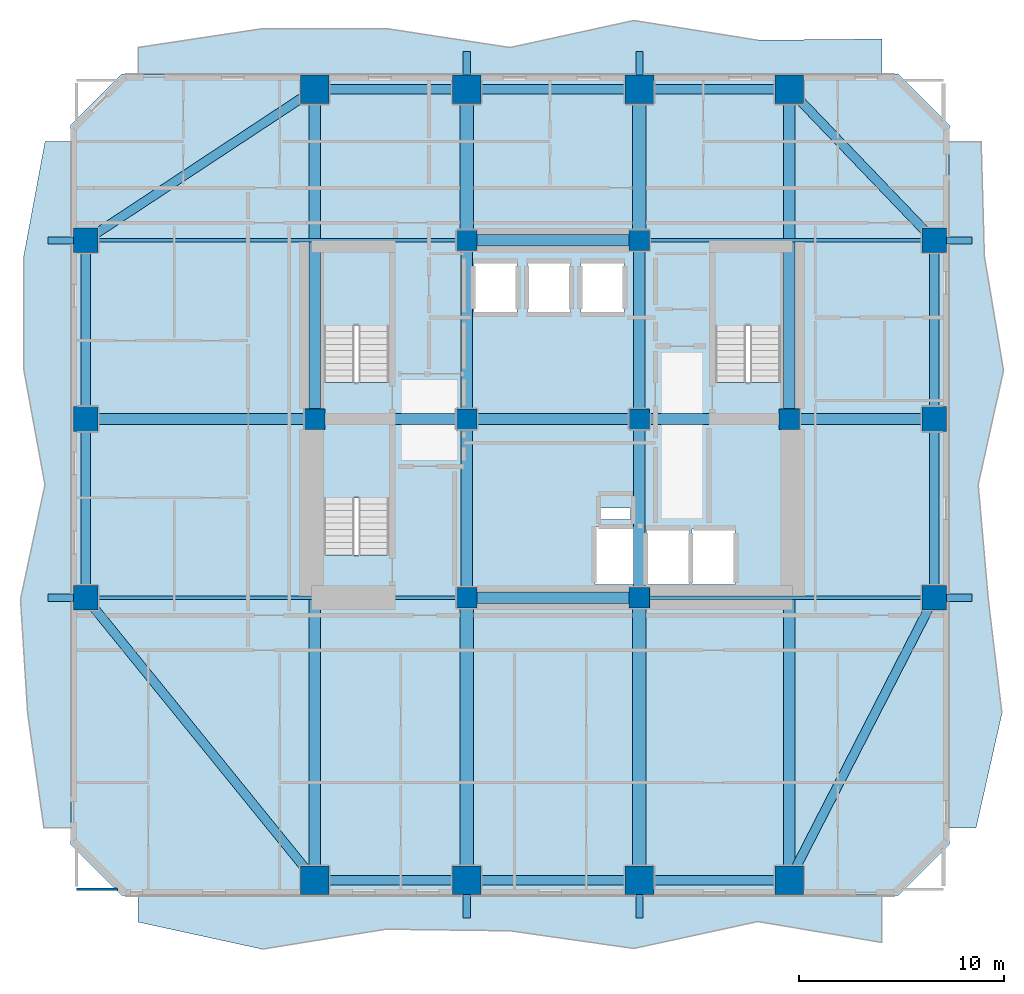
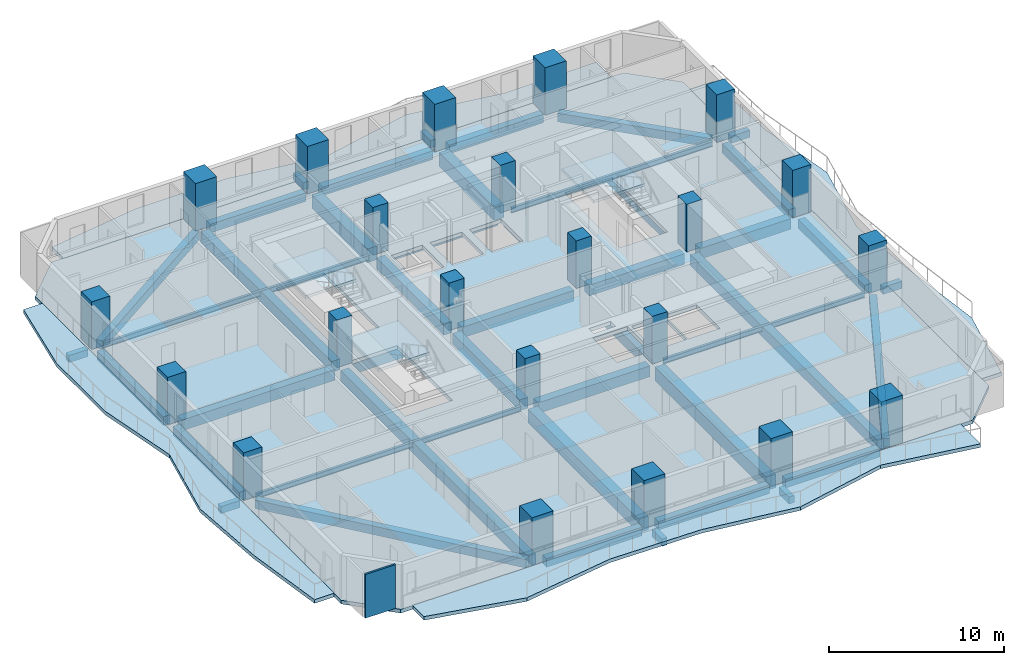
# One storey, part 1 of 11: 45 beams, 22 columns, 8 slabs, 1 wall, 3 elements without a shape of their own.
"""IFC4 building model written with IfcOpenShell, lengths in metres."""

from ifc_helpers import new_model, si_unit, direction, frame, frame_2d, origin, origin_2d, place, context, subcontext, project, spatial, polyline, rectangle, i_section, outline, extrude, material, layer, layer_set, material_profile, profile_set, type_object, element, aggregate, save


model = new_model("IFC4")

# Units and contexts
model_context = context("Model", 3, precision=1e-05, world=origin(), true_north=direction((0.0, 1.0)))
body_context = subcontext(model_context, "Body", "Model", "MODEL_VIEW")
ifc_project = project(units=[si_unit("LENGTHUNIT", "METRE"), si_unit("AREAUNIT", "SQUARE_METRE"), si_unit("VOLUMEUNIT", "CUBIC_METRE"), si_unit("PLANEANGLEUNIT", "RADIAN"), si_unit("MASSUNIT", "GRAM", prefix="KILO")], contexts=[model_context])

# Site, building, storey
site_placement = place(None, origin())
site = spatial("IfcSite", under=ifc_project, at=site_placement, CompositionType="ELEMENT")
building_placement = place(site_placement, origin())
building = spatial("IfcBuilding", under=site, at=building_placement, Name="Solanera Arch Residences", CompositionType="ELEMENT")
storey_placement = place(building_placement, frame((0.0, 0.0, 35.280029296875)))
storey = spatial("IfcBuildingStorey", under=building, at=storey_placement, Name="L09", CompositionType="ELEMENT", Elevation=35.280029296875)

# Columns
ifc_material_1 = material(Name="Concrete C55/67 (f'c = 60 MPa)", Category="concrete")
ifc_material_profile_1 = material_profile(ifc_material_1, rectangle(XDim=1.0, YDim=1.0, at=origin_2d()))
ifc_profile_set_1 = profile_set([ifc_material_profile_1], Name="Concrete C55/67 (f'c = 60 MPa)")
column_type_1 = type_object("IfcColumnType", Name="Structural Column RC-COL-1000X1000", PredefinedType="COLUMN", material=ifc_profile_set_1)
for number, where, z_axis, x_axis, name in (
    (1, (20.800048828125, 22.0, 0.0), (0.0, 0.0, 1.0), (1.0, 0.0, 0.0), "COL-L09-CB-SW"),
    (2, (29.199951171875, 22.0, 0.0), (0.0, 0.0, 1.0), (1.0, 0.0, 0.0), "COL-L09-CB-SE"),
    (3, (20.800048828125, 39.39990234375, 0.0), (0.0, 0.0, 1.0), (1.0, 0.0, 0.0), "COL-L09-CB-NW"),
    (4, (29.199951171875, 39.39990234375, 0.0), (0.0, 0.0, 1.0), (1.0, 0.0, 0.0), "COL-L09-CB-NE"),
    (5, (13.39990234375, 30.699951171875, 0.0), (0.0, 0.0, 1.0), (1.0, 0.0, 0.0), "COL-L09-CB-WW"),
    (6, (36.5, 30.699951171875, 0.0), (0.0, 0.0, 1.0), (1.0, 0.0, 0.0), "COL-L09-CB-EE"),
    (7, (20.800048828125, 30.699951171875, 0.0), (0.0, 0.0, 1.0), (1.0, 0.0, 0.0), "COL-L09-CORE-W"),
    (8, (29.199951171875, 30.699951171875, 0.0), (0.0, 0.0, 1.0), (1.0, 0.0, 0.0), "COL-L09-CORE-E"),
):
    element("IfcColumn", number, at=place(storey_placement, frame(where, z_axis=z_axis, x_axis=x_axis)), inside=storey, type_object=column_type_1, Name=name, PredefinedType="COLUMN", context=body_context, shape_type="SweptSolid", body=[
        extrude(rectangle(XDim=1.0, YDim=1.0, at=origin_2d()), origin(), (0.0, 0.0, 1.0), 3.320068359375),
    ])
ifc_material_2 = material(Name="Concrete C55/67 (f'c = 60 MPa)", Category="concrete")
ifc_material_profile_2 = material_profile(ifc_material_2, rectangle(XDim=1.199951171875, YDim=1.199951171875, at=origin_2d()))
ifc_profile_set_2 = profile_set([ifc_material_profile_2], Name="Concrete C55/67 (f'c = 60 MPa)")
column_type_2 = type_object("IfcColumnType", Name="Structural Column RC-COL-1200X1200", PredefinedType="COLUMN", material=ifc_profile_set_2)
for number, where, z_axis, x_axis, name in (
    (9, (2.25, 22.0, 0.0), (0.0, 0.0, 1.0), (1.0, 0.0, 0.0), "COL-L09-TWR-09"),
    (10, (43.550048828125, 22.0, 0.0), (0.0, 0.0, 1.0), (1.0, 0.0, 0.0), "COL-L09-TWR-10"),
    (11, (2.25, 30.699951171875, 0.0), (0.0, 0.0, 1.0), (1.0, 0.0, 0.0), "COL-L09-TWR-11"),
    (12, (43.550048828125, 30.699951171875, 0.0), (0.0, 0.0, 1.0), (1.0, 0.0, 0.0), "COL-L09-TWR-12"),
    (13, (2.25, 39.39990234375, 0.0), (0.0, 0.0, 1.0), (1.0, 0.0, 0.0), "COL-L09-TWR-13"),
    (14, (43.550048828125, 39.39990234375, 0.0), (0.0, 0.0, 1.0), (1.0, 0.0, 0.0), "COL-L09-TWR-14"),
):
    element("IfcColumn", number, at=place(storey_placement, frame(where, z_axis=z_axis, x_axis=x_axis)), inside=storey, type_object=column_type_2, Name=name, PredefinedType="COLUMN", context=body_context, shape_type="SweptSolid", body=[
        extrude(rectangle(XDim=1.199951171875, YDim=1.199951171875, at=origin_2d()), origin(), (0.0, 0.0, 1.0), 3.320068359375),
    ])
ifc_material_3 = material(Name="Concrete C55/67 (f'c = 60 MPa)", Category="concrete")
ifc_material_profile_3 = material_profile(ifc_material_3, rectangle(XDim=1.39990234375, YDim=1.39990234375, at=origin_2d()))
ifc_profile_set_3 = profile_set([ifc_material_profile_3], Name="Concrete C55/67 (f'c = 60 MPa)")
column_type_3 = type_object("IfcColumnType", Name="Structural Column RC-COL-1400X1400", PredefinedType="COLUMN", material=ifc_profile_set_3)
for number, where, z_axis, x_axis, name in (
    (15, (13.39990234375, 8.25, 0.0), (0.0, 0.0, 1.0), (1.0, 0.0, 0.0), "COL-L09-TWR-01"),
    (16, (13.39990234375, 46.75, 0.0), (0.0, 0.0, 1.0), (1.0, 0.0, 0.0), "COL-L09-TWR-02"),
    (17, (20.800048828125, 8.25, 0.0), (0.0, 0.0, 1.0), (1.0, 0.0, 0.0), "COL-L09-TWR-03"),
    (18, (20.800048828125, 46.75, 0.0), (0.0, 0.0, 1.0), (1.0, 0.0, 0.0), "COL-L09-TWR-04"),
    (19, (29.199951171875, 8.25, 0.0), (0.0, 0.0, 1.0), (1.0, 0.0, 0.0), "COL-L09-TWR-05"),
    (20, (29.199951171875, 46.75, 0.0), (0.0, 0.0, 1.0), (1.0, 0.0, 0.0), "COL-L09-TWR-06"),
    (21, (36.5, 8.25, 0.0), (0.0, 0.0, 1.0), (1.0, 0.0, 0.0), "COL-L09-TWR-07"),
    (22, (36.5, 46.75, 0.0), (0.0, 0.0, 1.0), (1.0, 0.0, 0.0), "COL-L09-TWR-08"),
):
    element("IfcColumn", number, at=place(storey_placement, frame(where, z_axis=z_axis, x_axis=x_axis)), inside=storey, type_object=column_type_3, Name=name, PredefinedType="COLUMN", context=body_context, shape_type="SweptSolid", body=[
        extrude(rectangle(XDim=1.39990234375, YDim=1.39990234375, at=origin_2d()), origin(), (0.0, 0.0, 1.0), 3.320068359375),
    ])

# Beams
ifc_material_4 = material(Name="Concrete C40/50 (f'c = 45 MPa)", Category="concrete")
ifc_material_profile_4 = material_profile(ifc_material_4, rectangle(XDim=0.35009765625, YDim=0.5, at=origin_2d()))
ifc_profile_set_4 = profile_set([ifc_material_profile_4], Name="Concrete C40/50 (f'c = 45 MPa)")
beam_type_1 = type_object("IfcBeamType", Name="BM-BALC-RIB", PredefinedType="BEAM", material=ifc_profile_set_4)
for number, where, z_axis, x_axis, name in (
    (23, (20.800048828125, 6.39990234375, -0.5), (0.0, 1.0, 0.0), (-1.0, 0.0, 0.0), "BM-L09-BRIB-S1"),
    (24, (29.199951171875, 6.39990234375, -0.5), (0.0, 1.0, 0.0), (-1.0, 0.0, 0.0), "BM-L09-BRIB-S2"),
    (25, (20.800048828125, 47.449951171875, -0.5), (0.0, 1.0, 0.0), (-1.0, 0.0, 0.0), "BM-L09-BRIB-N1"),
    (26, (29.199951171875, 47.449951171875, -0.5), (0.0, 1.0, 0.0), (-1.0, 0.0, 0.0), "BM-L09-BRIB-N2"),
):
    element("IfcBeam", number, at=place(storey_placement, frame(where, z_axis=z_axis, x_axis=x_axis)), inside=storey, type_object=beam_type_1, Name=name, PredefinedType="BEAM", context=body_context, shape_type="SweptSolid", body=[
        extrude(rectangle(XDim=0.35009765625, YDim=0.5, at=origin_2d()), origin(), (0.0, 0.0, 1.0), 1.150146484375),
    ])
for number, where, z_axis, x_axis, name in (
    (27, (44.14990234375, 22.0, -0.5), (1.0, 0.0, 0.0), (0.0, 1.0, 0.0), "BM-L09-BRIB-E1"),
    (28, (44.14990234375, 39.39990234375, -0.5), (1.0, 0.0, 0.0), (0.0, 1.0, 0.0), "BM-L09-BRIB-E2"),
    (29, (0.39990234375, 22.0, -0.5), (1.0, 0.0, 0.0), (0.0, 1.0, 0.0), "BM-L09-BRIB-W1"),
    (30, (0.39990234375, 39.39990234375, -0.5), (1.0, 0.0, 0.0), (0.0, 1.0, 0.0), "BM-L09-BRIB-W2"),
):
    element("IfcBeam", number, at=place(storey_placement, frame(where, z_axis=z_axis, x_axis=x_axis)), inside=storey, type_object=beam_type_1, Name=name, PredefinedType="BEAM", context=body_context, shape_type="SweptSolid", body=[
        extrude(rectangle(XDim=0.35009765625, YDim=0.5, at=origin_2d()), origin(), (0.0, 0.0, 1.0), 1.25),
    ])
ifc_material_5 = material(Name="Concrete C40/50 (f'c = 45 MPa)", Category="concrete")
ifc_material_profile_5 = material_profile(ifc_material_5, rectangle(XDim=0.550048828125, YDim=0.75, at=origin_2d()))
ifc_profile_set_5 = profile_set([ifc_material_profile_5], Name="Concrete C40/50 (f'c = 45 MPa)")
beam_type_2 = type_object("IfcBeamType", Name="Primary Beam RC-BM-550X750", PredefinedType="BEAM", material=ifc_profile_set_5)
beam_1_placement = place(storey_placement, frame((20.800048828125, 22.50390625, -0.635009765625), z_axis=(0.0, 1.0, 0.0), x_axis=(-1.0, 0.0, 0.0)))
element("IfcBeam", 31, at=beam_1_placement, inside=storey, type_object=beam_type_2, Name="BM-L09-CC-S-208", PredefinedType="BEAM", context=body_context, shape_type="SweptSolid", body=[
    extrude(rectangle(XDim=0.550048828125, YDim=0.75, at=origin_2d()), origin(), (0.0, 0.0, 1.0), 7.692138671875),
])
beam_2_placement = place(storey_placement, frame((20.800048828125, 31.2041015625, -0.635009765625), z_axis=(0.0, 1.0, 0.0), x_axis=(-1.0, 0.0, 0.0)))
element("IfcBeam", 32, at=beam_2_placement, inside=storey, type_object=beam_type_2, Name="BM-L09-CC-N-208", PredefinedType="BEAM", context=body_context, shape_type="SweptSolid", body=[
    extrude(rectangle(XDim=0.550048828125, YDim=0.75, at=origin_2d()), origin(), (0.0, 0.0, 1.0), 7.69189453125),
])
beam_3_placement = place(storey_placement, frame((29.199951171875, 22.50390625, -0.635009765625), z_axis=(0.0, 1.0, 0.0), x_axis=(-1.0, 0.0, 0.0)))
element("IfcBeam", 33, at=beam_3_placement, inside=storey, type_object=beam_type_2, Name="BM-L09-CC-S-292", PredefinedType="BEAM", context=body_context, shape_type="SweptSolid", body=[
    extrude(rectangle(XDim=0.550048828125, YDim=0.75, at=origin_2d()), origin(), (0.0, 0.0, 1.0), 7.692138671875),
])
beam_4_placement = place(storey_placement, frame((29.199951171875, 31.2041015625, -0.635009765625), z_axis=(0.0, 1.0, 0.0), x_axis=(-1.0, 0.0, 0.0)))
element("IfcBeam", 34, at=beam_4_placement, inside=storey, type_object=beam_type_2, Name="BM-L09-CC-N-292", PredefinedType="BEAM", context=body_context, shape_type="SweptSolid", body=[
    extrude(rectangle(XDim=0.550048828125, YDim=0.75, at=origin_2d()), origin(), (0.0, 0.0, 1.0), 7.69189453125),
])
for number, where, z_axis, x_axis, name in (
    (35, (21.303955078125, 22.0, -0.635009765625), (1.0, 0.0, 0.0), (0.0, 1.0, 0.0), "BM-L09-CC-M-220"),
    (36, (21.303955078125, 30.699951171875, -0.635009765625), (1.0, 0.0, 0.0), (0.0, 1.0, 0.0), "BM-L09-CC-M-307"),
    (37, (21.303955078125, 39.39990234375, -0.635009765625), (1.0, 0.0, 0.0), (0.0, 1.0, 0.0), "BM-L09-CC-M-394"),
):
    element("IfcBeam", number, at=place(storey_placement, frame(where, z_axis=z_axis, x_axis=x_axis)), inside=storey, type_object=beam_type_2, Name=name, PredefinedType="BEAM", context=body_context, shape_type="SweptSolid", body=[
        extrude(rectangle(XDim=0.550048828125, YDim=0.75, at=origin_2d()), origin(), (0.0, 0.0, 1.0), 7.39208984375),
    ])
beam_5_placement = place(storey_placement, frame((13.904052734375, 30.699951171875, -0.635009765625), z_axis=(1.0, 0.0, 0.0), x_axis=(0.0, 1.0, 0.0)))
element("IfcBeam", 38, at=beam_5_placement, inside=storey, type_object=beam_type_2, Name="BM-L09-CC-W", PredefinedType="BEAM", context=body_context, shape_type="SweptSolid", body=[
    extrude(rectangle(XDim=0.550048828125, YDim=0.75, at=origin_2d()), origin(), (0.0, 0.0, 1.0), 6.391845703125),
])
beam_6_placement = place(storey_placement, frame((29.7041015625, 30.699951171875, -0.635009765625), z_axis=(1.0, 0.0, 0.0), x_axis=(0.0, 1.0, 0.0)))
element("IfcBeam", 39, at=beam_6_placement, inside=storey, type_object=beam_type_2, Name="BM-L09-CC-E", PredefinedType="BEAM", context=body_context, shape_type="SweptSolid", body=[
    extrude(rectangle(XDim=0.550048828125, YDim=0.75, at=origin_2d()), origin(), (0.0, 0.0, 1.0), 6.2919921875),
])
beam_7_placement = place(storey_placement, frame((13.39990234375, 8.7900390625, -0.635009765625), z_axis=(0.0, 1.0, 0.0), x_axis=(-1.0, 0.0, 0.0)))
element("IfcBeam", 40, at=beam_7_placement, inside=storey, type_object=beam_type_2, Name="BM-L09-RAD-OS-134", PredefinedType="BEAM", context=body_context, shape_type="SweptSolid", body=[
    extrude(rectangle(XDim=0.550048828125, YDim=0.75, at=origin_2d()), origin(), (0.0, 0.0, 1.0), 21.406005859375),
])
beam_8_placement = place(storey_placement, frame((13.39990234375, 31.2041015625, -0.635009765625), z_axis=(0.0, 1.0, 0.0), x_axis=(-1.0, 0.0, 0.0)))
element("IfcBeam", 41, at=beam_8_placement, inside=storey, type_object=beam_type_2, Name="BM-L09-RAD-ON-134", PredefinedType="BEAM", context=body_context, shape_type="SweptSolid", body=[
    extrude(rectangle(XDim=0.550048828125, YDim=0.75, at=origin_2d()), origin(), (0.0, 0.0, 1.0), 15.005859375),
])
beam_9_placement = place(storey_placement, frame((36.5, 8.7900390625, -0.635009765625), z_axis=(0.0, 1.0, 0.0), x_axis=(-1.0, 0.0, 0.0)))
element("IfcBeam", 42, at=beam_9_placement, inside=storey, type_object=beam_type_2, Name="BM-L09-RAD-OS-365", PredefinedType="BEAM", context=body_context, shape_type="SweptSolid", body=[
    extrude(rectangle(XDim=0.550048828125, YDim=0.75, at=origin_2d()), origin(), (0.0, 0.0, 1.0), 21.406005859375),
])
beam_10_placement = place(storey_placement, frame((36.5, 31.2041015625, -0.635009765625), z_axis=(0.0, 1.0, 0.0), x_axis=(-1.0, 0.0, 0.0)))
element("IfcBeam", 43, at=beam_10_placement, inside=storey, type_object=beam_type_2, Name="BM-L09-RAD-ON-365", PredefinedType="BEAM", context=body_context, shape_type="SweptSolid", body=[
    extrude(rectangle(XDim=0.550048828125, YDim=0.75, at=origin_2d()), origin(), (0.0, 0.0, 1.0), 15.005859375),
])
beam_11_placement = place(storey_placement, frame((2.7900390625, 30.699951171875, -0.635009765625), z_axis=(1.0, 0.0, 0.0), x_axis=(0.0, 1.0, 0.0)))
element("IfcBeam", 44, at=beam_11_placement, inside=storey, type_object=beam_type_2, Name="BM-L09-RAD-MW", PredefinedType="BEAM", context=body_context, shape_type="SweptSolid", body=[
    extrude(rectangle(XDim=0.550048828125, YDim=0.75, at=origin_2d()), origin(), (0.0, 0.0, 1.0), 10.10595703125),
])
beam_12_placement = place(storey_placement, frame((37.00390625, 30.699951171875, -0.635009765625), z_axis=(1.0, 0.0, 0.0), x_axis=(0.0, 1.0, 0.0)))
element("IfcBeam", 45, at=beam_12_placement, inside=storey, type_object=beam_type_2, Name="BM-L09-RAD-ME", PredefinedType="BEAM", context=body_context, shape_type="SweptSolid", body=[
    extrude(rectangle(XDim=0.550048828125, YDim=0.75, at=origin_2d()), origin(), (0.0, 0.0, 1.0), 6.006103515625),
])
ifc_material_6 = material(Name="Concrete C40/50 (f'c = 45 MPa)", Category="concrete")
ifc_material_profile_6 = material_profile(ifc_material_6, rectangle(XDim=0.64990234375, YDim=0.949951171875, at=origin_2d()))
ifc_profile_set_6 = profile_set([ifc_material_profile_6], Name="Concrete C40/50 (f'c = 45 MPa)")
beam_type_3 = type_object("IfcBeamType", Name="Primary Beam RC-BM-650X950", PredefinedType="BEAM", material=ifc_profile_set_6)
beam_13_placement = place(storey_placement, frame((20.800048828125, 8.7900390625, -0.735107421875), z_axis=(0.0, 1.0, 0.0), x_axis=(-1.0, 0.0, 0.0)))
element("IfcBeam", 46, at=beam_13_placement, inside=storey, type_object=beam_type_3, Name="BM-L09-RAD-S-208", PredefinedType="BEAM", context=body_context, shape_type="SweptSolid", body=[
    extrude(rectangle(XDim=0.64990234375, YDim=0.949951171875, at=origin_2d()), origin(), (0.0, 0.0, 1.0), 12.7060546875),
])
beam_14_placement = place(storey_placement, frame((20.800048828125, 39.904052734375, -0.735107421875), z_axis=(0.0, 1.0, 0.0), x_axis=(-1.0, 0.0, 0.0)))
element("IfcBeam", 47, at=beam_14_placement, inside=storey, type_object=beam_type_3, Name="BM-L09-RAD-N-208", PredefinedType="BEAM", context=body_context, shape_type="SweptSolid", body=[
    extrude(rectangle(XDim=0.64990234375, YDim=0.949951171875, at=origin_2d()), origin(), (0.0, 0.0, 1.0), 6.305908203125),
])
beam_15_placement = place(storey_placement, frame((29.199951171875, 8.7900390625, -0.735107421875), z_axis=(0.0, 1.0, 0.0), x_axis=(-1.0, 0.0, 0.0)))
element("IfcBeam", 48, at=beam_15_placement, inside=storey, type_object=beam_type_3, Name="BM-L09-RAD-S-292", PredefinedType="BEAM", context=body_context, shape_type="SweptSolid", body=[
    extrude(rectangle(XDim=0.64990234375, YDim=0.949951171875, at=origin_2d()), origin(), (0.0, 0.0, 1.0), 12.7060546875),
])
beam_16_placement = place(storey_placement, frame((29.199951171875, 39.904052734375, -0.735107421875), z_axis=(0.0, 1.0, 0.0), x_axis=(-1.0, 0.0, 0.0)))
element("IfcBeam", 49, at=beam_16_placement, inside=storey, type_object=beam_type_3, Name="BM-L09-RAD-N-292", PredefinedType="BEAM", context=body_context, shape_type="SweptSolid", body=[
    extrude(rectangle(XDim=0.64990234375, YDim=0.949951171875, at=origin_2d()), origin(), (0.0, 0.0, 1.0), 6.305908203125),
])
ifc_material_7 = material(Name="Steel S355 (ASTM A992 / A572 Grade 50)", Category="steel")
ifc_material_profile_7 = material_profile(ifc_material_7, i_section(OverallWidth=0.172119140625, OverallDepth=0.35791015625, WebThickness=0.0078125, FlangeThickness=0.01318359375, at=origin_2d()))
ifc_profile_set_7 = profile_set([ifc_material_profile_7], Name="Steel S355 (ASTM A992 / A572 Grade 50)")
beam_type_4 = type_object("IfcBeamType", Name="Secondary Joist W360X57.8", PredefinedType="JOIST", material=ifc_profile_set_7)
beam_17_placement = place(storey_placement, frame((2.7900390625, 22.0, -0.43896484375), z_axis=(1.0, 0.0, 0.0), x_axis=(0.0, 1.0, 0.0)))
element("IfcBeam", 50, at=beam_17_placement, inside=storey, type_object=beam_type_4, Name="BM-L09-RAD-W-220", PredefinedType="JOIST", context=body_context, shape_type="SweptSolid", body=[
    extrude(i_section(OverallWidth=0.172119140625, OverallDepth=0.35791015625, WebThickness=0.0078125, FlangeThickness=0.01318359375, at=origin_2d()), origin(), (0.0, 0.0, 1.0), 17.505859375),
])
beam_18_placement = place(storey_placement, frame((29.7041015625, 22.0, -0.43896484375), z_axis=(1.0, 0.0, 0.0), x_axis=(0.0, 1.0, 0.0)))
element("IfcBeam", 51, at=beam_18_placement, inside=storey, type_object=beam_type_4, Name="BM-L09-RAD-E-220", PredefinedType="JOIST", context=body_context, shape_type="SweptSolid", body=[
    extrude(i_section(OverallWidth=0.172119140625, OverallDepth=0.35791015625, WebThickness=0.0078125, FlangeThickness=0.01318359375, at=origin_2d()), origin(), (0.0, 0.0, 1.0), 13.305908203125),
])
beam_19_placement = place(storey_placement, frame((2.7900390625, 39.39990234375, -0.43896484375), z_axis=(1.0, 0.0, 0.0), x_axis=(0.0, 1.0, 0.0)))
element("IfcBeam", 52, at=beam_19_placement, inside=storey, type_object=beam_type_4, Name="BM-L09-RAD-W-394", PredefinedType="JOIST", context=body_context, shape_type="SweptSolid", body=[
    extrude(i_section(OverallWidth=0.172119140625, OverallDepth=0.35791015625, WebThickness=0.0078125, FlangeThickness=0.01318359375, at=origin_2d()), origin(), (0.0, 0.0, 1.0), 17.505859375),
])
beam_20_placement = place(storey_placement, frame((29.7041015625, 39.39990234375, -0.43896484375), z_axis=(1.0, 0.0, 0.0), x_axis=(0.0, 1.0, 0.0)))
element("IfcBeam", 53, at=beam_20_placement, inside=storey, type_object=beam_type_4, Name="BM-L09-RAD-E-394", PredefinedType="JOIST", context=body_context, shape_type="SweptSolid", body=[
    extrude(i_section(OverallWidth=0.172119140625, OverallDepth=0.35791015625, WebThickness=0.0078125, FlangeThickness=0.01318359375, at=origin_2d()), origin(), (0.0, 0.0, 1.0), 13.305908203125),
])
ifc_material_8 = material(Name="Concrete C40/50 (f'c = 45 MPa)", Category="concrete")
ifc_material_profile_8 = material_profile(ifc_material_8, rectangle(XDim=0.449951171875, YDim=0.60009765625, at=origin_2d()))
ifc_profile_set_8 = profile_set([ifc_material_profile_8], Name="Concrete C40/50 (f'c = 45 MPa)")
beam_type_5 = type_object("IfcBeamType", Name="Spandrel Beam RC-BM-450X600", PredefinedType="SPANDREL", material=ifc_profile_set_8)
for number, where, z_axis, x_axis, name in (
    (54, (13.93994140625, 8.25, -0.56005859375), (1.0, 0.0, 0.0), (0.0, 1.0, 0.0), "BM-L09-SPN-S-1"),
    (55, (13.93994140625, 46.75, -0.56005859375), (1.0, 0.0, 0.0), (0.0, 1.0, 0.0), "BM-L09-SPN-N-1"),
):
    element("IfcBeam", number, at=place(storey_placement, frame(where, z_axis=z_axis, x_axis=x_axis)), inside=storey, type_object=beam_type_5, Name=name, PredefinedType="SPANDREL", context=body_context, shape_type="SweptSolid", body=[
        extrude(rectangle(XDim=0.449951171875, YDim=0.60009765625, at=origin_2d()), origin(), (0.0, 0.0, 1.0), 6.320068359375),
    ])
for number, where, z_axis, x_axis, name in (
    (56, (21.340087890625, 8.25, -0.56005859375), (1.0, 0.0, 0.0), (0.0, 1.0, 0.0), "BM-L09-SPN-S-2"),
    (57, (21.340087890625, 46.75, -0.56005859375), (1.0, 0.0, 0.0), (0.0, 1.0, 0.0), "BM-L09-SPN-N-2"),
):
    element("IfcBeam", number, at=place(storey_placement, frame(where, z_axis=z_axis, x_axis=x_axis)), inside=storey, type_object=beam_type_5, Name=name, PredefinedType="SPANDREL", context=body_context, shape_type="SweptSolid", body=[
        extrude(rectangle(XDim=0.449951171875, YDim=0.60009765625, at=origin_2d()), origin(), (0.0, 0.0, 1.0), 7.31982421875),
    ])
for number, where, z_axis, x_axis, name in (
    (58, (29.739990234375, 8.25, -0.56005859375), (1.0, 0.0, 0.0), (0.0, 1.0, 0.0), "BM-L09-SPN-S-3"),
    (59, (29.739990234375, 46.75, -0.56005859375), (1.0, 0.0, 0.0), (0.0, 1.0, 0.0), "BM-L09-SPN-N-3"),
):
    element("IfcBeam", number, at=place(storey_placement, frame(where, z_axis=z_axis, x_axis=x_axis)), inside=storey, type_object=beam_type_5, Name=name, PredefinedType="SPANDREL", context=body_context, shape_type="SweptSolid", body=[
        extrude(rectangle(XDim=0.449951171875, YDim=0.60009765625, at=origin_2d()), origin(), (0.0, 0.0, 1.0), 6.219970703125),
    ])
for number, where, z_axis, x_axis, name in (
    (60, (2.25, 22.5400390625, -0.56005859375), (0.0, 1.0, 0.0), (-1.0, 0.0, 0.0), "BM-L09-SPN-W-1"),
    (61, (43.550048828125, 22.5400390625, -0.56005859375), (0.0, 1.0, 0.0), (-1.0, 0.0, 0.0), "BM-L09-SPN-E-1"),
):
    element("IfcBeam", number, at=place(storey_placement, frame(where, z_axis=z_axis, x_axis=x_axis)), inside=storey, type_object=beam_type_5, Name=name, PredefinedType="SPANDREL", context=body_context, shape_type="SweptSolid", body=[
        extrude(rectangle(XDim=0.449951171875, YDim=0.60009765625, at=origin_2d()), origin(), (0.0, 0.0, 1.0), 7.619873046875),
    ])
for number, where, z_axis, x_axis, name in (
    (62, (2.25, 31.239990234375, -0.56005859375), (0.0, 1.0, 0.0), (-1.0, 0.0, 0.0), "BM-L09-SPN-W-2"),
    (63, (43.550048828125, 31.239990234375, -0.56005859375), (0.0, 1.0, 0.0), (-1.0, 0.0, 0.0), "BM-L09-SPN-E-2"),
):
    element("IfcBeam", number, at=place(storey_placement, frame(where, z_axis=z_axis, x_axis=x_axis)), inside=storey, type_object=beam_type_5, Name=name, PredefinedType="SPANDREL", context=body_context, shape_type="SweptSolid", body=[
        extrude(rectangle(XDim=0.449951171875, YDim=0.60009765625, at=origin_2d()), origin(), (0.0, 0.0, 1.0), 7.6201171875),
    ])
beam_21_placement = place(storey_placement, frame((13.06005859375, 8.6689453125, -0.56005859375), z_axis=(-0.629827104297, 0.776735359497, 0.0), x_axis=(-0.776735359497, -0.629827104297, 0.0)))
element("IfcBeam", 64, at=beam_21_placement, inside=storey, type_object=beam_type_5, Name="BM-L09-SPN-SW", PredefinedType="SPANDREL", context=body_context, shape_type="SweptSolid", body=[
    extrude(rectangle(XDim=0.449951171875, YDim=0.60009765625, at=origin_2d()), origin(), (0.0, 0.0, 1.0), 16.62353515625),
])
beam_22_placement = place(storey_placement, frame((12.948974609375, 46.452880859375, -0.56005859375), z_axis=(-0.834903365048, -0.550396557976, 0.0), x_axis=(0.550396557976, -0.834903365048, 0.0)))
element("IfcBeam", 65, at=beam_22_placement, inside=storey, type_object=beam_type_5, Name="BM-L09-SPN-NW", PredefinedType="SPANDREL", context=body_context, shape_type="SweptSolid", body=[
    extrude(rectangle(XDim=0.449951171875, YDim=0.60009765625, at=origin_2d()), origin(), (0.0, 0.0, 1.0), 12.2744140625),
])
beam_23_placement = place(storey_placement, frame((36.74609375, 8.73095703125, -0.56005859375), z_axis=(0.456309404993, 0.889821176931, 0.0), x_axis=(-0.889821176931, 0.456309404993, 0.0)))
element("IfcBeam", 66, at=beam_23_placement, inside=storey, type_object=beam_type_5, Name="BM-L09-SPN-SE", PredefinedType="SPANDREL", context=body_context, shape_type="SweptSolid", body=[
    extrude(rectangle(XDim=0.449951171875, YDim=0.60009765625, at=origin_2d()), origin(), (0.0, 0.0, 1.0), 14.37158203125),
])
beam_24_placement = place(storey_placement, frame((36.8740234375, 46.360107421875, -0.56005859375), z_axis=(0.692230884532, -0.721676106366, 0.0), x_axis=(0.721676106366, 0.692230884532, 0.0)))
element("IfcBeam", 67, at=beam_24_placement, inside=storey, type_object=beam_type_5, Name="BM-L09-SPN-NE", PredefinedType="SPANDREL", context=body_context, shape_type="SweptSolid", body=[
    extrude(rectangle(XDim=0.449951171875, YDim=0.60009765625, at=origin_2d()), origin(), (0.0, 0.0, 1.0), 9.10400390625),
])

# Slabs
ifc_material_9 = material(Name="Concrete C40/50 (f'c = 45 MPa)", Category="concrete")
ifc_layer_1 = layer(ifc_material_9, 0.25)
ifc_layer_set_1 = layer_set([ifc_layer_1], Name="Concrete C40/50 (f'c = 45 MPa)")
slab_type_1 = type_object("IfcSlabType", Name="Balcony Slab 250", PredefinedType="FLOOR", material=ifc_layer_set_1)
slab_1_placement = place(storey_placement, frame((0.0, 0.0, -0.25)))
element("IfcSlab", 68, at=slab_1_placement, inside=storey, type_object=slab_type_1, Name="L09 S Rippling Brise-Soleil Balcony Slab", PredefinedType="FLOOR", context=body_context, shape_type="SweptSolid", body=[
    extrude(outline(polyline([(4.800048828125, 6.208984375), (10.8330078125, 4.89404296875), (16.866943359375, 5.865966796875), (22.89990234375, 5.7880859375), (28.93310546875, 4.927001953125), (34.967041015625, 6.238037109375), (41.0, 5.220947265625), (41.0, 7.52001953125), (4.800048828125, 7.52001953125), (4.800048828125, 6.208984375)])), origin(), (0.0, 0.0, 1.0), 0.25),
])
slab_2_placement = place(storey_placement, frame((0.0, 0.0, -0.25)))
element("IfcSlab", 69, at=slab_2_placement, inside=storey, type_object=slab_type_1, Name="L09 N Rippling Brise-Soleil Balcony Slab", PredefinedType="FLOOR", context=body_context, shape_type="SweptSolid", body=[
    extrude(outline(polyline([(41.0, 49.202880859375), (34.967041015625, 49.14306640625), (28.93310546875, 50.10302734375), (22.89990234375, 48.7880859375), (16.866943359375, 49.7119140625), (10.8330078125, 49.702880859375), (4.800048828125, 48.791015625), (4.800048828125, 47.47998046875), (41.0, 47.47998046875), (41.0, 49.202880859375)])), origin(), (0.0, 0.0, 1.0), 0.25),
])
slab_3_placement = place(storey_placement, frame((0.0, 0.0, -0.25)))
element("IfcSlab", 70, at=slab_3_placement, inside=storey, type_object=slab_type_1, Name="L09 E Rippling Brise-Soleil Balcony Slab", PredefinedType="FLOOR", context=body_context, shape_type="SweptSolid", body=[
    extrude(outline(polyline([(45.591064453125, 10.800048828125), (46.85009765625, 16.366943359375), (46.18408203125, 21.93310546875), (45.694091796875, 27.5), (46.926025390625, 33.06689453125), (45.993896484375, 38.633056640625), (45.837890625, 44.199951171875), (44.280029296875, 44.199951171875), (44.280029296875, 10.800048828125), (45.591064453125, 10.800048828125)])), origin(), (0.0, 0.0, 1.0), 0.25),
])
slab_4_placement = place(storey_placement, frame((0.0, 0.0, -0.25)))
element("IfcSlab", 71, at=slab_4_placement, inside=storey, type_object=slab_type_1, Name="L09 W Rippling Brise-Soleil Balcony Slab", PredefinedType="FLOOR", context=body_context, shape_type="SweptSolid", body=[
    extrude(outline(polyline([(0.263916015625, 44.199951171875), (-0.77099609375, 38.633056640625), (-0.761962890625, 33.06689453125), (0.262939453125, 27.5), (-0.928955078125, 21.93310546875), (-0.5791015625, 16.366943359375), (0.208984375, 10.800048828125), (1.52001953125, 10.800048828125), (1.52001953125, 44.199951171875), (0.263916015625, 44.199951171875)])), origin(), (0.0, 0.0, 1.0), 0.25),
])

# Stair, slab
ifc_material_10 = material(Name="Concrete C40/50 (f'c = 45 MPa)", Category="concrete")
stair_type = type_object("IfcStairType", Name="Tower Dogleg Exit Stair 1480", PredefinedType="HALF_TURN_STAIR", material=ifc_material_10)
stair_1_placement = place(storey_placement, origin())
stair_1 = element("IfcStair", 72, at=stair_1_placement, inside=storey, type_object=stair_type, Name="L09 Tower Core Exit Stair 1", PredefinedType="HALF_TURN_STAIR")
ifc_material_11 = material(Name="Concrete C40/50 (f'c = 45 MPa)", Category="concrete")
ifc_layer_2 = layer(ifc_material_11, 0.199951171875)
ifc_layer_set_2 = layer_set([ifc_layer_2], Name="Concrete C40/50 (f'c = 45 MPa)")
slab_type_2 = type_object("IfcSlabType", Name="Stair Half-Landing Slab 200", PredefinedType="LANDING", material=ifc_layer_set_2)
slab_5_placement = place(storey_placement, frame((0.0, 0.0, 1.4599609375)))
slab_5 = element("IfcSlab", 73, at=slab_5_placement, type_object=slab_type_2, Name="ST-T1 landing 1", PredefinedType="LANDING", context=body_context, shape_type="SweptSolid", body=[
    extrude(outline(polyline([(17.1201171875, 35.260009765625), (17.1201171875, 38.919921875), (13.719970703125, 38.919921875), (13.719970703125, 35.260009765625), (17.1201171875, 35.260009765625)])), origin(), (0.0, 0.0, 1.0), 0.199951171875),
])
aggregate(stair_1, [slab_5])

stair_2_placement = place(storey_placement, origin())
stair_2 = element("IfcStair", 74, at=stair_2_placement, inside=storey, type_object=stair_type, Name="L09 Tower Core Exit Stair 2", PredefinedType="HALF_TURN_STAIR")
slab_6_placement = place(storey_placement, frame((0.0, 0.0, 1.4599609375)))
slab_6 = element("IfcSlab", 75, at=slab_6_placement, type_object=slab_type_2, Name="ST-T2 landing 1", PredefinedType="LANDING", context=body_context, shape_type="SweptSolid", body=[
    extrude(outline(polyline([(36.179931640625, 35.260009765625), (36.179931640625, 38.919921875), (32.780029296875, 38.919921875), (32.780029296875, 35.260009765625), (36.179931640625, 35.260009765625)])), origin(), (0.0, 0.0, 1.0), 0.199951171875),
])
aggregate(stair_2, [slab_6])

stair_3_placement = place(storey_placement, origin())
stair_3 = element("IfcStair", 76, at=stair_3_placement, inside=storey, type_object=stair_type, Name="L09 Tower Core Exit Stair 3", PredefinedType="HALF_TURN_STAIR")
slab_7_placement = place(storey_placement, frame((0.0, 0.0, 1.4599609375)))
slab_7 = element("IfcSlab", 77, at=slab_7_placement, type_object=slab_type_2, Name="ST-T3 landing 1", PredefinedType="LANDING", context=body_context, shape_type="SweptSolid", body=[
    extrude(outline(polyline([(17.1201171875, 26.860107421875), (17.1201171875, 30.52001953125), (13.719970703125, 30.52001953125), (13.719970703125, 26.860107421875), (17.1201171875, 26.860107421875)])), origin(), (0.0, 0.0, 1.0), 0.199951171875),
])
aggregate(stair_3, [slab_7])

# Slab
ifc_material_12 = material(Name="Concrete C40/50 (f'c = 45 MPa)", Category="concrete")
ifc_layer_3 = layer(ifc_material_12, 0.260009765625)
ifc_layer_set_3 = layer_set([ifc_layer_3], Name="Concrete C40/50 (f'c = 45 MPa)")
slab_type_3 = type_object("IfcSlabType", Name="Suspended Floor Slab Post-Tensioned 260", PredefinedType="FLOOR", material=ifc_layer_set_3)
slab_8_placement = place(storey_placement, frame((0.0, 0.0, -0.260009765625)))
element("IfcSlab", 78, at=slab_8_placement, inside=storey, type_object=slab_type_3, Name="L09 Tower Post-Tensioned Floor Slab", PredefinedType="FLOOR", context=body_context, shape_type="SweptSolid", body=[
    extrude(outline(polyline([(4.0, 7.5), (41.800048828125, 7.5), (44.300048828125, 10.0), (44.300048828125, 45.0), (41.800048828125, 47.5), (4.0, 47.5), (1.5, 45.0), (1.5, 10.0), (4.0, 7.5)]), holes=[polyline([(13.840087890625, 32.48291015625), (13.840087890625, 38.800048828125), (17.0, 38.800048828125), (17.0, 32.48291015625), (13.840087890625, 32.48291015625)]), polyline([(32.89990234375, 32.48291015625), (32.89990234375, 38.800048828125), (36.06005859375, 38.800048828125), (36.06005859375, 32.48291015625), (32.89990234375, 32.48291015625)]), polyline([(13.840087890625, 24.0830078125), (13.840087890625, 30.39990234375), (17.0, 30.39990234375), (17.0, 24.0830078125), (13.840087890625, 24.0830078125)]), polyline([(21.14990234375, 38.35009765625), (23.25, 38.35009765625), (23.25, 35.85009765625), (21.14990234375, 35.85009765625), (21.14990234375, 38.35009765625)]), polyline([(23.75, 38.35009765625), (25.85009765625, 38.35009765625), (25.85009765625, 35.85009765625), (23.75, 35.85009765625), (23.75, 38.35009765625)]), polyline([(26.35009765625, 38.35009765625), (28.449951171875, 38.35009765625), (28.449951171875, 35.85009765625), (26.35009765625, 35.85009765625), (26.35009765625, 38.35009765625)]), polyline([(29.550048828125, 25.35009765625), (31.64990234375, 25.35009765625), (31.64990234375, 22.64990234375), (29.550048828125, 22.64990234375), (29.550048828125, 25.35009765625)]), polyline([(31.75, 25.35009765625), (33.85009765625, 25.35009765625), (33.85009765625, 22.64990234375), (31.75, 22.64990234375), (31.75, 25.35009765625)]), polyline([(27.050048828125, 25.449951171875), (29.35009765625, 25.449951171875), (29.35009765625, 22.64990234375), (27.050048828125, 22.64990234375), (27.050048828125, 25.449951171875)]), polyline([(27.340087890625, 26.3798828125), (28.760009765625, 26.3798828125), (28.760009765625, 25.820068359375), (27.340087890625, 25.820068359375), (27.340087890625, 26.3798828125)])]), origin(), (0.0, 0.0, 1.0), 0.260009765625),
])

# Wall
ifc_material_13 = material(Name="Fire-Rated Gypsum Stud Partition", Category="gypsum")
ifc_layer_4 = layer(ifc_material_13, 0.1201171875)
ifc_layer_set_4 = layer_set([ifc_layer_4], Name="Fire-Rated Gypsum Stud Partition")
wall_type = type_object("IfcWallType", Name="Unit Drywall Partition 120", PredefinedType="PARTITIONING", material=ifc_layer_set_4)
wall_placement = place(storey_placement, frame((1.800048828125, 7.800048828125, 0.0), z_axis=(0.0, 0.0, 1.0), x_axis=(1.0, 0.0, 0.0)))
element("IfcWall", 79, at=wall_placement, inside=storey, type_object=wall_type, Name="L09 Interior Partition H22 1", PredefinedType="PARTITIONING", context=body_context, shape_type="SweptSolid", body=[
    extrude(rectangle(XDim=2.0009765625, YDim=0.1201171875, at=frame_2d((1.00048828125, 0.0))), origin(), (0.0, 0.0, 1.0), 3.06005859375),
])

save(model, "model.ifc")
